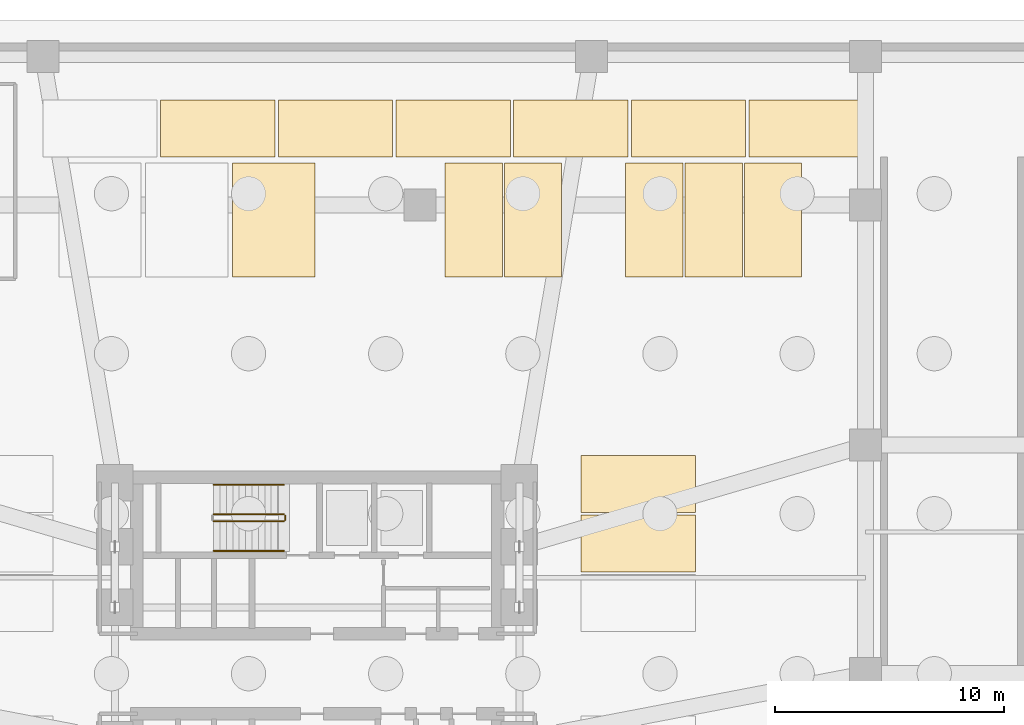
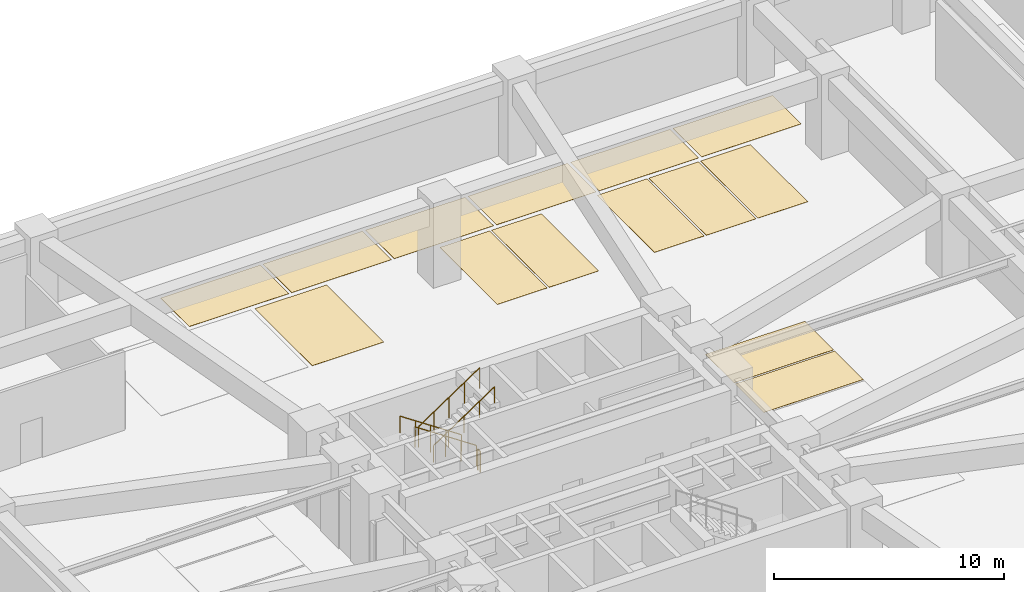
# One storey, part 12 of 14: 14 coverings, 5 railings.
"""IFC4 building model written with IfcOpenShell, lengths in metres."""

from ifc_helpers import new_model, si_unit, direction, frame, origin, origin_2d, place, context, subcontext, project, spatial, polyline, circle, outline, extrude, material, layer, layer_set, type_object, element, save


model = new_model("IFC4")

# Units and contexts
model_context = context("Model", 3, precision=1e-05, world=origin(), true_north=direction((0.0, 1.0)))
body_context = subcontext(model_context, "Body", "Model", "MODEL_VIEW")
ifc_project = project(units=[si_unit("LENGTHUNIT", "METRE"), si_unit("AREAUNIT", "SQUARE_METRE"), si_unit("VOLUMEUNIT", "CUBIC_METRE"), si_unit("PLANEANGLEUNIT", "RADIAN"), si_unit("MASSUNIT", "GRAM", prefix="KILO")], contexts=[model_context])

# Site, building, storey
site_placement = place(None, origin())
site = spatial("IfcSite", under=ifc_project, at=site_placement, CompositionType="ELEMENT")
building_placement = place(site_placement, origin())
building = spatial("IfcBuilding", under=site, at=building_placement, Name="Solmarez Civic Tower", CompositionType="ELEMENT")
storey_placement = place(building_placement, frame((0.0, 0.0, -9.0)))
storey = spatial("IfcBuildingStorey", under=building, at=storey_placement, Name="B2", CompositionType="ELEMENT", Elevation=-9.0)

# Coverings
ifc_material_1 = material(Name="Epoxy Traffic Deck Coating")
ifc_layer = layer(ifc_material_1, 0.010009765625)
ifc_layer_set = layer_set([ifc_layer], Name="Epoxy Traffic Deck Coating")
covering_type = type_object("IfcCoveringType", Name="COV-PARK-BAY", PredefinedType="FLOORING", material=ifc_layer_set)
covering_1_placement = place(storey_placement, origin())
element("IfcCovering", 1, at=covering_1_placement, inside=storey, type_object=covering_type, Name="B2 Accessible Parking Bay Marking A03", PredefinedType="FLOORING", context=body_context, shape_type="SweptSolid", body=[
    extrude(outline(polyline([(-3.699951171875, 17.35009765625), (-0.10009765625, 17.35009765625), (-0.10009765625, 22.35009765625), (-3.699951171875, 22.35009765625), (-3.699951171875, 17.35009765625)])), origin(), (0.0, 0.0, 1.0), 0.010009765625),
])
covering_2_placement = place(storey_placement, origin())
element("IfcCovering", 2, at=covering_2_placement, inside=storey, type_object=covering_type, Name="B2 Parking Bay Marking 009", PredefinedType="FLOORING", context=body_context, shape_type="SweptSolid", body=[
    extrude(outline(polyline([(5.60009765625, 17.35009765625), (8.10009765625, 17.35009765625), (8.10009765625, 22.35009765625), (5.60009765625, 22.35009765625), (5.60009765625, 17.35009765625)])), origin(), (0.0, 0.0, 1.0), 0.010009765625),
])
covering_3_placement = place(storey_placement, origin())
element("IfcCovering", 3, at=covering_3_placement, inside=storey, type_object=covering_type, Name="B2 Parking Bay Marking 010", PredefinedType="FLOORING", context=body_context, shape_type="SweptSolid", body=[
    extrude(outline(polyline([(8.199951171875, 17.35009765625), (10.699951171875, 17.35009765625), (10.699951171875, 22.35009765625), (8.199951171875, 22.35009765625), (8.199951171875, 17.35009765625)])), origin(), (0.0, 0.0, 1.0), 0.010009765625),
])
covering_4_placement = place(storey_placement, origin())
element("IfcCovering", 4, at=covering_4_placement, inside=storey, type_object=covering_type, Name="B2 Parking Bay Marking 011", PredefinedType="FLOORING", context=body_context, shape_type="SweptSolid", body=[
    extrude(outline(polyline([(13.5, 17.35009765625), (16.0, 17.35009765625), (16.0, 22.35009765625), (13.5, 22.35009765625), (13.5, 17.35009765625)])), origin(), (0.0, 0.0, 1.0), 0.010009765625),
])
covering_5_placement = place(storey_placement, origin())
element("IfcCovering", 5, at=covering_5_placement, inside=storey, type_object=covering_type, Name="B2 Parking Bay Marking 012", PredefinedType="FLOORING", context=body_context, shape_type="SweptSolid", body=[
    extrude(outline(polyline([(16.10009765625, 17.35009765625), (18.60009765625, 17.35009765625), (18.60009765625, 22.35009765625), (16.10009765625, 22.35009765625), (16.10009765625, 17.35009765625)])), origin(), (0.0, 0.0, 1.0), 0.010009765625),
])
covering_6_placement = place(storey_placement, origin())
element("IfcCovering", 6, at=covering_6_placement, inside=storey, type_object=covering_type, Name="B2 Parking Bay Marking 013", PredefinedType="FLOORING", context=body_context, shape_type="SweptSolid", body=[
    extrude(outline(polyline([(18.699951171875, 17.35009765625), (21.199951171875, 17.35009765625), (21.199951171875, 22.35009765625), (18.699951171875, 22.35009765625), (18.699951171875, 17.35009765625)])), origin(), (0.0, 0.0, 1.0), 0.010009765625),
])
covering_7_placement = place(storey_placement, origin())
element("IfcCovering", 7, at=covering_7_placement, inside=storey, type_object=covering_type, Name="B2 Parking Bay Marking 015", PredefinedType="FLOORING", context=body_context, shape_type="SweptSolid", body=[
    extrude(outline(polyline([(-6.85009765625, 22.60009765625), (-1.85009765625, 22.60009765625), (-1.85009765625, 25.10009765625), (-6.85009765625, 25.10009765625), (-6.85009765625, 22.60009765625)])), origin(), (0.0, 0.0, 1.0), 0.010009765625),
])
covering_8_placement = place(storey_placement, origin())
element("IfcCovering", 8, at=covering_8_placement, inside=storey, type_object=covering_type, Name="B2 Parking Bay Marking 016", PredefinedType="FLOORING", context=body_context, shape_type="SweptSolid", body=[
    extrude(outline(polyline([(-1.699951171875, 22.60009765625), (3.300048828125, 22.60009765625), (3.300048828125, 25.10009765625), (-1.699951171875, 25.10009765625), (-1.699951171875, 22.60009765625)])), origin(), (0.0, 0.0, 1.0), 0.010009765625),
])
covering_9_placement = place(storey_placement, origin())
element("IfcCovering", 9, at=covering_9_placement, inside=storey, type_object=covering_type, Name="B2 Parking Bay Marking 017", PredefinedType="FLOORING", context=body_context, shape_type="SweptSolid", body=[
    extrude(outline(polyline([(3.449951171875, 22.60009765625), (8.449951171875, 22.60009765625), (8.449951171875, 25.10009765625), (3.449951171875, 25.10009765625), (3.449951171875, 22.60009765625)])), origin(), (0.0, 0.0, 1.0), 0.010009765625),
])
covering_10_placement = place(storey_placement, origin())
element("IfcCovering", 10, at=covering_10_placement, inside=storey, type_object=covering_type, Name="B2 Parking Bay Marking 018", PredefinedType="FLOORING", context=body_context, shape_type="SweptSolid", body=[
    extrude(outline(polyline([(8.60009765625, 22.60009765625), (13.60009765625, 22.60009765625), (13.60009765625, 25.10009765625), (8.60009765625, 25.10009765625), (8.60009765625, 22.60009765625)])), origin(), (0.0, 0.0, 1.0), 0.010009765625),
])
covering_11_placement = place(storey_placement, origin())
element("IfcCovering", 11, at=covering_11_placement, inside=storey, type_object=covering_type, Name="B2 Parking Bay Marking 019", PredefinedType="FLOORING", context=body_context, shape_type="SweptSolid", body=[
    extrude(outline(polyline([(13.75, 22.60009765625), (18.75, 22.60009765625), (18.75, 25.10009765625), (13.75, 25.10009765625), (13.75, 22.60009765625)])), origin(), (0.0, 0.0, 1.0), 0.010009765625),
])
covering_12_placement = place(storey_placement, origin())
element("IfcCovering", 12, at=covering_12_placement, inside=storey, type_object=covering_type, Name="B2 Parking Bay Marking 020", PredefinedType="FLOORING", context=body_context, shape_type="SweptSolid", body=[
    extrude(outline(polyline([(18.89990234375, 22.60009765625), (23.89990234375, 22.60009765625), (23.89990234375, 25.10009765625), (18.89990234375, 25.10009765625), (18.89990234375, 22.60009765625)])), origin(), (0.0, 0.0, 1.0), 0.010009765625),
])
covering_13_placement = place(storey_placement, origin())
element("IfcCovering", 13, at=covering_13_placement, inside=storey, type_object=covering_type, Name="B2 Parking Bay Marking 047", PredefinedType="FLOORING", context=body_context, shape_type="SweptSolid", body=[
    extrude(outline(polyline([(11.550048828125, 4.449951171875), (16.550048828125, 4.449951171875), (16.550048828125, 6.949951171875), (11.550048828125, 6.949951171875), (11.550048828125, 4.449951171875)])), origin(), (0.0, 0.0, 1.0), 0.010009765625),
])
covering_14_placement = place(storey_placement, origin())
element("IfcCovering", 14, at=covering_14_placement, inside=storey, type_object=covering_type, Name="B2 Parking Bay Marking 048", PredefinedType="FLOORING", context=body_context, shape_type="SweptSolid", body=[
    extrude(outline(polyline([(11.550048828125, 7.050048828125), (16.550048828125, 7.050048828125), (16.550048828125, 9.550048828125), (11.550048828125, 9.550048828125), (11.550048828125, 7.050048828125)])), origin(), (0.0, 0.0, 1.0), 0.010009765625),
])

# Railings
ifc_material_2 = material(Name="Painted Steel Stairwell Safety Guard", Category="steel")
railing_type_1 = type_object("IfcRailingType", Name="GUARD-STAIR-1120", PredefinedType="BALUSTRADE", material=ifc_material_2)
railing_1_placement = place(storey_placement, frame((-1.449951171875, 6.969970703125, 0.1875)))
element("IfcRailing", 15, at=railing_1_placement, inside=storey, type_object=railing_type_1, Name="B2 ST-1 stair guard 1", PredefinedType="BALUSTRADE", context=body_context, shape_type="SweptSolid", body=[
    extrude(circle(Radius=0.02392578125, at=origin_2d()), frame((0.0, 0.0, 1.09619140625), z_axis=(-0.830913701846, 0.0, 0.55640131208), x_axis=(0.0, -1.0, 0.0)), (0.0, 0.0, 1.0), 3.706787109375),
    extrude(circle(Radius=0.02099609375, at=origin_2d()), origin(), (0.0, 0.0, 1.0), 1.072021484375),
    extrude(circle(Radius=0.02099609375, at=origin_2d()), frame((-0.77001953125, 0.0, 0.515625)), (0.0, 0.0, 1.0), 1.072021484375),
    extrude(circle(Radius=0.02099609375, at=origin_2d()), frame((-1.5400390625, 0.0, 1.03125)), (0.0, 0.0, 1.0), 1.072021484375),
    extrude(circle(Radius=0.02099609375, at=origin_2d()), frame((-2.31005859375, 0.0, 1.546875)), (0.0, 0.0, 1.0), 1.072021484375),
    extrude(circle(Radius=0.02099609375, at=origin_2d()), frame((-3.080078125, 0.0, 2.0625)), (0.0, 0.0, 1.0), 1.072021484375),
])
railing_2_placement = place(storey_placement, frame((-4.530029296875, 6.669921875, 2.4375)))
element("IfcRailing", 16, at=railing_2_placement, inside=storey, type_object=railing_type_1, Name="B2 ST-1 stair guard 3", PredefinedType="BALUSTRADE", context=body_context, shape_type="SweptSolid", body=[
    extrude(circle(Radius=0.02392578125, at=origin_2d()), frame((0.0, 0.0, 1.09619140625), z_axis=(0.830913701846, 0.0, 0.55640131208), x_axis=(0.0, 1.0, 0.0)), (0.0, 0.0, 1.0), 3.706787109375),
    extrude(circle(Radius=0.02099609375, at=origin_2d()), origin(), (0.0, 0.0, 1.0), 1.072021484375),
    extrude(circle(Radius=0.02099609375, at=origin_2d()), frame((0.77001953125, 0.0, 0.515625)), (0.0, 0.0, 1.0), 1.072021484375),
    extrude(circle(Radius=0.02099609375, at=origin_2d()), frame((1.5400390625, 0.0, 1.03125)), (0.0, 0.0, 1.0), 1.072021484375),
    extrude(circle(Radius=0.02099609375, at=origin_2d()), frame((2.31005859375, 0.0, 1.546875)), (0.0, 0.0, 1.0), 1.072021484375),
    extrude(circle(Radius=0.02099609375, at=origin_2d()), frame((3.080078125, 0.0, 2.0625)), (0.0, 0.0, 1.0), 1.072021484375),
])
railing_3_placement = place(storey_placement, frame((-1.39990234375, 6.919921875, 0.0)))
element("IfcRailing", 17, at=railing_3_placement, inside=storey, type_object=railing_type_1, Name="B2 ST-1 stair guard 4", PredefinedType="BALUSTRADE", context=body_context, shape_type="SweptSolid", body=[
    extrude(circle(Radius=0.02392578125, at=origin_2d()), frame((0.0, 0.0, 1.09619140625), z_axis=(0.0, -1.0, 0.0), x_axis=(1.0, 0.0, 0.0)), (0.0, 0.0, 1.0), 0.199951171875),
    extrude(circle(Radius=0.02099609375, at=origin_2d()), origin(), (0.0, 0.0, 1.0), 1.072021484375),
    extrude(circle(Radius=0.02099609375, at=origin_2d()), frame((0.0, -0.199951171875, 0.0)), (0.0, 0.0, 1.0), 1.072021484375),
])
ifc_material_3 = material(Name="Brushed Stainless Steel Tube Handrail", Category="steel")
railing_type_2 = type_object("IfcRailingType", Name="HANDRAIL-STAIR-900", PredefinedType="HANDRAIL", material=ifc_material_3)
railing_4_placement = place(storey_placement, frame((-1.449951171875, 8.27001953125, 0.1875)))
element("IfcRailing", 18, at=railing_4_placement, inside=storey, type_object=railing_type_2, Name="B2 ST-1 stair handrail 1", PredefinedType="HANDRAIL", context=body_context, shape_type="SweptSolid", body=[
    extrude(circle(Radius=0.02392578125, at=origin_2d()), frame((0.0, 0.0, 0.8759765625), z_axis=(-0.830913701846, 0.0, 0.55640131208), x_axis=(0.0, -1.0, 0.0)), (0.0, 0.0, 1.0), 3.706787109375),
    extrude(circle(Radius=0.02099609375, at=origin_2d()), origin(), (0.0, 0.0, 1.0), 0.851806640625),
    extrude(circle(Radius=0.02099609375, at=origin_2d()), frame((-0.77001953125, 0.0, 0.515625)), (0.0, 0.0, 1.0), 0.851806640625),
    extrude(circle(Radius=0.02099609375, at=origin_2d()), frame((-1.5400390625, 0.0, 1.03125)), (0.0, 0.0, 1.0), 0.851806640625),
    extrude(circle(Radius=0.02099609375, at=origin_2d()), frame((-2.31005859375, 0.0, 1.546875)), (0.0, 0.0, 1.0), 0.851806640625),
    extrude(circle(Radius=0.02099609375, at=origin_2d()), frame((-3.080078125, 0.0, 2.0625)), (0.0, 0.0, 1.0), 0.851806640625),
])
railing_5_placement = place(storey_placement, frame((-4.530029296875, 5.3701171875, 2.4375)))
element("IfcRailing", 19, at=railing_5_placement, inside=storey, type_object=railing_type_2, Name="B2 ST-1 stair handrail 2", PredefinedType="HANDRAIL", context=body_context, shape_type="SweptSolid", body=[
    extrude(circle(Radius=0.02392578125, at=origin_2d()), frame((0.0, 0.0, 0.8759765625), z_axis=(0.830913701846, 0.0, 0.55640131208), x_axis=(0.0, 1.0, 0.0)), (0.0, 0.0, 1.0), 3.706787109375),
    extrude(circle(Radius=0.02099609375, at=origin_2d()), origin(), (0.0, 0.0, 1.0), 0.851806640625),
    extrude(circle(Radius=0.02099609375, at=origin_2d()), frame((0.77001953125, 0.0, 0.515625)), (0.0, 0.0, 1.0), 0.851806640625),
    extrude(circle(Radius=0.02099609375, at=origin_2d()), frame((1.5400390625, 0.0, 1.03125)), (0.0, 0.0, 1.0), 0.851806640625),
    extrude(circle(Radius=0.02099609375, at=origin_2d()), frame((2.31005859375, 0.0, 1.546875)), (0.0, 0.0, 1.0), 0.851806640625),
    extrude(circle(Radius=0.02099609375, at=origin_2d()), frame((3.080078125, 0.0, 2.0625)), (0.0, 0.0, 1.0), 0.851806640625),
])

save(model, "model.ifc")
